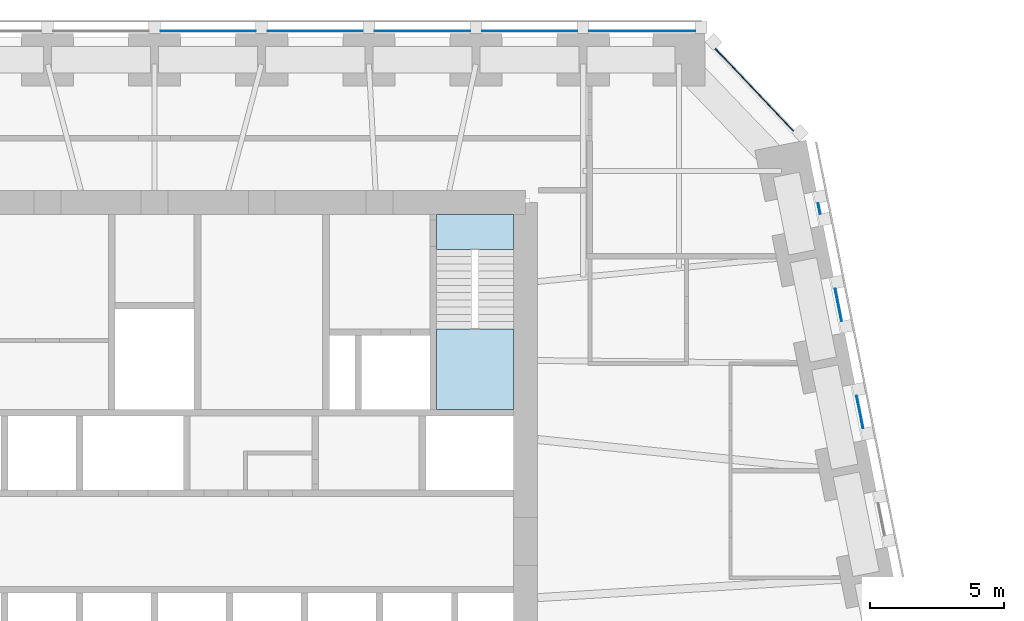
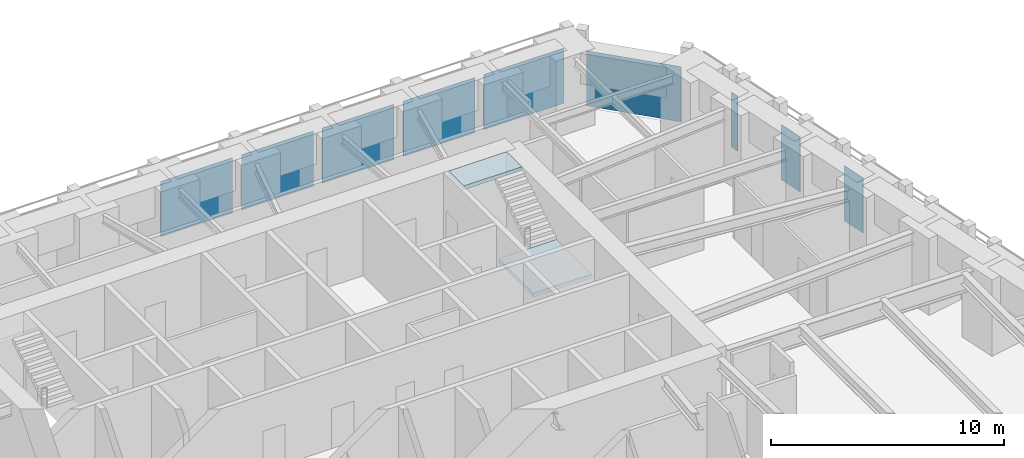
# One storey, part 11 of 17: 9 plates, 2 slabs, 6 elements without a shape of their own.
"""IFC4 building model written with IfcOpenShell, lengths in metres."""

from ifc_helpers import new_model, si_unit, direction, frame, origin, origin_2d, place, context, subcontext, project, spatial, polyline, rectangle, outline, extrude, material, layer, layer_set, type_object, element, aggregate, save


model = new_model("IFC4")

# Units and contexts
model_context = context("Model", 3, precision=1e-05, world=origin(), true_north=direction((0.0, 1.0)))
body_context = subcontext(model_context, "Body", "Model", "MODEL_VIEW")
ifc_project = project(units=[si_unit("LENGTHUNIT", "METRE"), si_unit("AREAUNIT", "SQUARE_METRE"), si_unit("VOLUMEUNIT", "CUBIC_METRE"), si_unit("PLANEANGLEUNIT", "RADIAN"), si_unit("MASSUNIT", "GRAM", prefix="KILO")], contexts=[model_context])

# Site, building, storey
site_placement = place(None, origin())
site = spatial("IfcSite", under=ifc_project, at=site_placement, CompositionType="ELEMENT")
building_placement = place(site_placement, origin())
building = spatial("IfcBuilding", under=site, at=building_placement, Name="Isbrekke Arena Tower", CompositionType="ELEMENT")
storey_placement = place(building_placement, frame((0.0, 0.0, 48.0)))
storey = spatial("IfcBuildingStorey", under=building, at=storey_placement, Name="L09", CompositionType="ELEMENT", Elevation=48.0)

# Curtain wall, plate
ifc_material_1 = material(Name="Glazed aluminium curtain wall", Category="aluminium")
curtain_wall_type = type_object("IfcCurtainWallType", Name="CWL TOWER CURTAIN WALL LOW ZONE", PredefinedType="USERDEFINED", material=ifc_material_1)
curtain_wall_1_placement = place(storey_placement, origin())
curtain_wall_1 = element("IfcCurtainWall", 1, at=curtain_wall_1_placement, inside=storey, type_object=curtain_wall_type, Name="CWL curtain wall L09-E15", ObjectType="TOWER CURTAIN WALL LOW ZONE", PredefinedType="USERDEFINED")
ifc_material_2 = material(Name="Triple-glazed clear glass unit", Category="glass")
ifc_layer_1 = layer(ifc_material_2, 0.031982421875)
ifc_layer_set_1 = layer_set([ifc_layer_1], Name="CWL-P VISION PANEL")
plate_type = type_object("IfcPlateType", Name="CWL-P VISION PANEL", PredefinedType="CURTAIN_PANEL", material=ifc_layer_set_1)
plate_1_placement = place(storey_placement, frame((26.322509765625, 16.0244140625, 0.02001953125), z_axis=(0.0, 0.0, 1.0), x_axis=(-0.196116135138, 0.980580675691, 0.0)))
plate_1 = element("IfcPlate", 2, at=plate_1_placement, type_object=plate_type, Name="CWL-P panel 1", PredefinedType="CURTAIN_PANEL", context=body_context, shape_type="SweptSolid", body=[
    extrude(rectangle(XDim=1.229248046875, YDim=0.031982421875, at=origin_2d()), origin(), (0.0, 0.0, 1.0), 2.8798828125),
])
aggregate(curtain_wall_1, [plate_1])

curtain_wall_2_placement = place(storey_placement, origin())
curtain_wall_2 = element("IfcCurtainWall", 3, at=curtain_wall_2_placement, inside=storey, type_object=curtain_wall_type, Name="CWL curtain wall L09-E17", ObjectType="TOWER CURTAIN WALL LOW ZONE", PredefinedType="USERDEFINED")
plate_2_placement = place(storey_placement, frame((25.5224609375, 20.0244140625, 0.02001953125), z_axis=(0.0, 0.0, 1.0), x_axis=(-0.196116135138, 0.980580675691, 0.0)))
plate_2 = element("IfcPlate", 4, at=plate_2_placement, type_object=plate_type, Name="CWL-P panel 1", PredefinedType="CURTAIN_PANEL", context=body_context, shape_type="SweptSolid", body=[
    extrude(rectangle(XDim=1.229248046875, YDim=0.031982421875, at=origin_2d()), origin(), (0.0, 0.0, 1.0), 2.8798828125),
])
aggregate(curtain_wall_2, [plate_2])

curtain_wall_3_placement = place(storey_placement, origin())
curtain_wall_3 = element("IfcCurtainWall", 5, at=curtain_wall_3_placement, inside=storey, type_object=curtain_wall_type, Name="CWL curtain wall L09-E19", ObjectType="TOWER CURTAIN WALL LOW ZONE", PredefinedType="USERDEFINED")
plate_3_placement = place(storey_placement, frame((24.80322265625, 23.62109375, 0.02001953125), z_axis=(0.0, 0.0, 1.0), x_axis=(-0.196116135138, 0.980580675691, 0.0)))
plate_3 = element("IfcPlate", 6, at=plate_3_placement, type_object=plate_type, Name="CWL-P panel 1", PredefinedType="CURTAIN_PANEL", context=body_context, shape_type="SweptSolid", body=[
    extrude(rectangle(XDim=0.40625, YDim=0.031982421875, at=origin_2d()), origin(), (0.0, 0.0, 1.0), 2.8798828125),
])
aggregate(curtain_wall_3, [plate_3])

curtain_wall_4_placement = place(storey_placement, origin())
curtain_wall_4 = element("IfcCurtainWall", 7, at=curtain_wall_4_placement, inside=storey, type_object=curtain_wall_type, Name="CWL curtain wall L09-EN", ObjectType="TOWER CURTAIN WALL LOW ZONE", PredefinedType="USERDEFINED")
plate_4_placement = place(storey_placement, frame((22.386474609375, 28.05419921875, 0.02001953125), z_axis=(0.0, 0.0, 1.0), x_axis=(-0.68874946192, 0.72499943359, 0.0)))
plate_4 = element("IfcPlate", 8, at=plate_4_placement, type_object=plate_type, Name="CWL-P panel 1", PredefinedType="CURTAIN_PANEL", context=body_context, shape_type="SweptSolid", body=[
    extrude(rectangle(XDim=4.22900390625, YDim=0.031982421875, at=origin_2d()), origin(), (0.0, 0.0, 1.0), 2.8798828125),
])
aggregate(curtain_wall_4, [plate_4])

# Curtain wall, plates
curtain_wall_5_placement = place(storey_placement, origin())
curtain_wall_5 = element("IfcCurtainWall", 9, at=curtain_wall_5_placement, inside=storey, type_object=curtain_wall_type, Name="CWL curtain wall L09-N", ObjectType="TOWER CURTAIN WALL LOW ZONE", PredefinedType="USERDEFINED")
plate_5_placement = place(storey_placement, frame((18.199951171875, 30.25, 0.02001953125), z_axis=(0.0, 0.0, 1.0), x_axis=(-1.0, 0.0, 0.0)))
plate_5 = element("IfcPlate", 10, at=plate_5_placement, type_object=plate_type, Name="CWL-P panel 1", PredefinedType="CURTAIN_PANEL", context=body_context, shape_type="SweptSolid", body=[
    extrude(rectangle(XDim=3.949951171875, YDim=0.031982421875, at=origin_2d()), origin(), (0.0, 0.0, 1.0), 2.8798828125),
])
plate_6_placement = place(storey_placement, frame((14.0, 30.25, 0.02001953125), z_axis=(0.0, 0.0, 1.0), x_axis=(-1.0, 0.0, 0.0)))
plate_6 = element("IfcPlate", 11, at=plate_6_placement, type_object=plate_type, Name="CWL-P panel 2", PredefinedType="CURTAIN_PANEL", context=body_context, shape_type="SweptSolid", body=[
    extrude(rectangle(XDim=3.550048828125, YDim=0.031982421875, at=origin_2d()), origin(), (0.0, 0.0, 1.0), 2.8798828125),
])
plate_7_placement = place(storey_placement, frame((10.0, 30.25, 0.02001953125), z_axis=(0.0, 0.0, 1.0), x_axis=(-1.0, 0.0, 0.0)))
plate_7 = element("IfcPlate", 12, at=plate_7_placement, type_object=plate_type, Name="CWL-P panel 3", PredefinedType="CURTAIN_PANEL", context=body_context, shape_type="SweptSolid", body=[
    extrude(rectangle(XDim=3.550048828125, YDim=0.031982421875, at=origin_2d()), origin(), (0.0, 0.0, 1.0), 2.8798828125),
])
plate_8_placement = place(storey_placement, frame((6.0, 30.25, 0.02001953125), z_axis=(0.0, 0.0, 1.0), x_axis=(-1.0, 0.0, 0.0)))
plate_8 = element("IfcPlate", 13, at=plate_8_placement, type_object=plate_type, Name="CWL-P panel 4", PredefinedType="CURTAIN_PANEL", context=body_context, shape_type="SweptSolid", body=[
    extrude(rectangle(XDim=3.550048828125, YDim=0.031982421875, at=origin_2d()), origin(), (0.0, 0.0, 1.0), 2.8798828125),
])
plate_9_placement = place(storey_placement, frame((2.0, 30.25, 0.02001953125), z_axis=(0.0, 0.0, 1.0), x_axis=(-1.0, 0.0, 0.0)))
plate_9 = element("IfcPlate", 14, at=plate_9_placement, type_object=plate_type, Name="CWL-P panel 5", PredefinedType="CURTAIN_PANEL", context=body_context, shape_type="SweptSolid", body=[
    extrude(rectangle(XDim=3.550048828125, YDim=0.031982421875, at=origin_2d()), origin(), (0.0, 0.0, 1.0), 2.8798828125),
])
aggregate(curtain_wall_5, [plate_5, plate_6, plate_7, plate_8, plate_9])

# Stair, slabs
ifc_material_3 = material(Name="Concrete B45 (C45/55) precast", Category="concrete")
stair_type = type_object("IfcStairType", Name="ST40 STAIR 1300 WIDE, 24 RISERS 167", PredefinedType="HALF_TURN_STAIR", material=ifc_material_3)
stair_placement = place(storey_placement, origin())
stair = element("IfcStair", 15, at=stair_placement, inside=storey, type_object=stair_type, Name="ST2 stair L09", PredefinedType="HALF_TURN_STAIR")
ifc_material_4 = material(Name="Concrete B35 (C35/45)", Category="concrete")
ifc_layer_2 = layer(ifc_material_4, 0.199951171875)
ifc_layer_set_2 = layer_set([ifc_layer_2], Name="SL1 STAIR LANDING 200")
slab_type = type_object("IfcSlabType", Name="SL1 STAIR LANDING 200", PredefinedType="LANDING", material=ifc_layer_set_2)
slab_1_placement = place(storey_placement, frame((0.0, 0.0, 1.800048828125)))
slab_1 = element("IfcSlab", 16, at=slab_1_placement, type_object=slab_type, Name="ST2 landing 1", PredefinedType="LANDING", context=body_context, shape_type="SweptSolid", body=[
    extrude(outline(polyline([(10.52490234375, 16.125), (13.39990234375, 16.125), (13.39990234375, 19.1298828125), (10.52490234375, 19.1298828125), (10.52490234375, 16.125)])), origin(), (0.0, 0.0, 1.0), 0.199951171875),
])
slab_2_placement = place(storey_placement, frame((0.0, 0.0, 3.800048828125)))
slab_2 = element("IfcSlab", 17, at=slab_2_placement, type_object=slab_type, Name="ST2 landing 2", PredefinedType="LANDING", context=body_context, shape_type="SweptSolid", body=[
    extrude(outline(polyline([(10.52490234375, 22.10009765625), (13.39990234375, 22.10009765625), (13.39990234375, 23.39990234375), (10.52490234375, 23.39990234375), (10.52490234375, 22.10009765625)])), origin(), (0.0, 0.0, 1.0), 0.199951171875),
])
aggregate(stair, [slab_1, slab_2])

save(model, "model.ifc")
